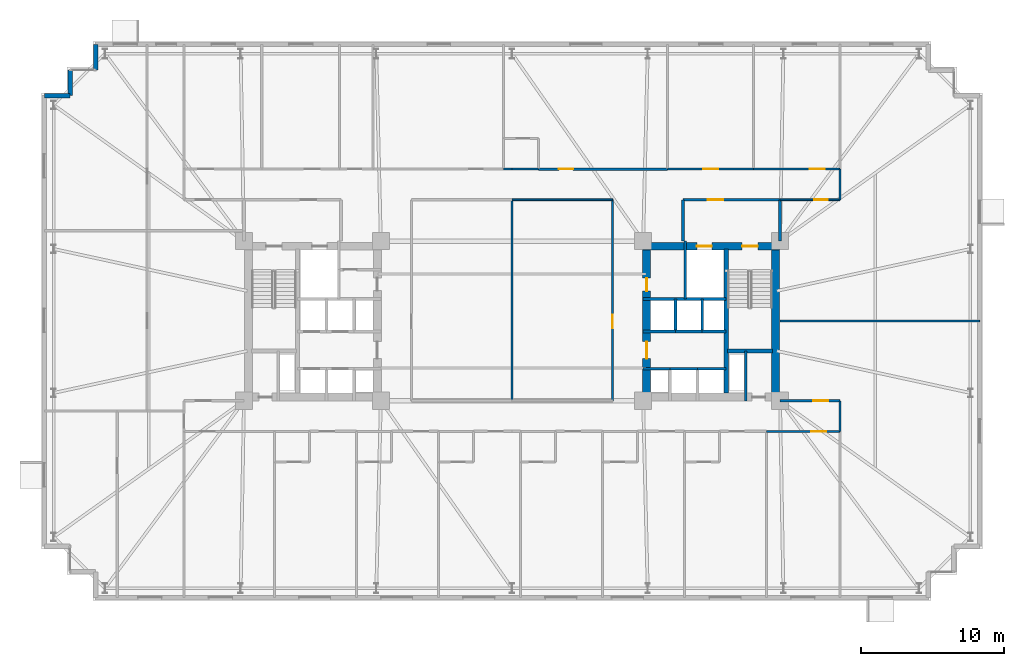
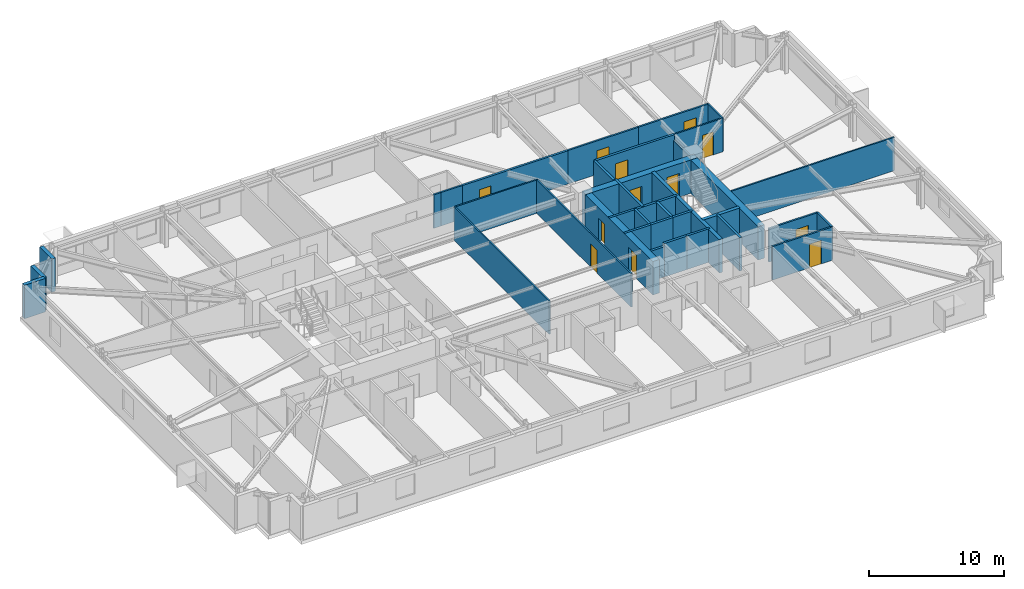
# One storey, part 17 of 20: 36 walls, 12 doors, 12 openings.
"""IFC4 building model written with IfcOpenShell, lengths in metres."""

from ifc_helpers import new_model, si_unit, direction, frame, frame_2d, origin, place, context, subcontext, project, spatial, rectangle, extrude, material, layer, layer_set, type_object, element, fill, save


model = new_model("IFC4")

# Units and contexts
model_context = context("Model", 3, precision=1e-05, world=origin(), true_north=direction((0.0, 1.0)))
body_context = subcontext(model_context, "Body", "Model", "MODEL_VIEW")
ifc_project = project(units=[si_unit("LENGTHUNIT", "METRE"), si_unit("AREAUNIT", "SQUARE_METRE"), si_unit("VOLUMEUNIT", "CUBIC_METRE"), si_unit("PLANEANGLEUNIT", "RADIAN"), si_unit("MASSUNIT", "GRAM", prefix="KILO")], contexts=[model_context])

# Site, building, storey
site_placement = place(None, origin())
site = spatial("IfcSite", under=ifc_project, at=site_placement, CompositionType="ELEMENT")
building_placement = place(site_placement, origin())
building = spatial("IfcBuilding", under=site, at=building_placement, Name="Qobustan Lattice House", CompositionType="ELEMENT")
storey_placement = place(building_placement, frame((0.0, 0.0, 63.85009765625)))
storey = spatial("IfcBuildingStorey", under=building, at=storey_placement, Name="L17", CompositionType="ELEMENT", Elevation=63.85009765625)

# Wall, openings, doors
ifc_material_1 = material(Name="Concrete C60/75", Category="concrete")
ifc_layer_1 = layer(ifc_material_1, 0.56005859375)
ifc_layer_set_1 = layer_set([ifc_layer_1], Name="Concrete C60/75")
wall_type_1 = type_object("IfcWallType", Name="WAL-CORE-600", PredefinedType="SHEAR", material=ifc_layer_set_1)
wall_1_placement = place(storey_placement, frame((9.199951171875, 5.239990234375, 0.0), z_axis=(0.0, 0.0, 1.0), x_axis=(1.0, 0.0, 0.0)))
wall_1 = element("IfcWall", 1, at=wall_1_placement, inside=storey, type_object=wall_type_1, Name="L17 split-core shear wall CE-N", PredefinedType="SHEAR", context=body_context, shape_type="SweptSolid", body=[
    extrude(rectangle(XDim=9.60009765625, YDim=0.56005859375, at=frame_2d((4.800048828125, 0.0))), origin(), (0.0, 0.0, 1.0), 3.034912109375),
])
opening_1_placement = place(wall_1_placement, frame((6.949951171875, 0.0, 0.0)))
opening_1 = element("IfcOpeningElement", 2, at=opening_1_placement, cuts=wall_1, Name="Opening SD-01", PredefinedType="OPENING", context=body_context, shape_type="SweptSolid", body=[
    extrude(rectangle(XDim=1.10009765625, YDim=2.14990234375, at=frame_2d((0.550048828125, 1.074951171875))), frame((0.0, 0.2900390625, 0.0), z_axis=(0.0, -1.0, 0.0), x_axis=(1.0, 0.0, 0.0)), (0.0, 0.0, 1.0), 0.580078125),
])
opening_2_placement = place(wall_1_placement, frame((3.77490234375, 0.0, 0.0)))
opening_2 = element("IfcOpeningElement", 3, at=opening_2_placement, cuts=wall_1, Name="Opening LD-01", PredefinedType="OPENING", context=body_context, shape_type="SweptSolid", body=[
    extrude(rectangle(XDim=1.050048828125, YDim=2.10009765625, at=frame_2d((0.52490234375, 1.050048828125))), frame((0.0, 0.2900390625, 0.0), z_axis=(0.0, -1.0, 0.0), x_axis=(1.0, 0.0, 0.0)), (0.0, 0.0, 1.0), 0.580078125),
])
ifc_material_2 = material(Name="Persian walnut timber and steel frame door", Category="steel")
door_type_1 = type_object("IfcDoorType", Name="DOR-LIFT-LD-1050x2100", OperationType="NOTDEFINED", PredefinedType="DOOR", material=ifc_material_2)
door_1_placement = place(opening_2_placement, origin())
door_1 = element("IfcDoor", 4, at=door_1_placement, inside=storey, type_object=door_type_1, Name="L17 firefighting lift FF-E landing door", OperationType="DOUBLE_DOOR_SLIDING", OverallHeight=2.10009765625, OverallWidth=1.050048828125, PredefinedType="DOOR", context=body_context, shape_type="SweptSolid", body=[
    extrude(rectangle(XDim=1.050048828125, YDim=2.10009765625, at=frame_2d((0.52490234375, 1.050048828125))), frame((0.0, 0.02490234375, 0.0), z_axis=(0.0, -1.0, 0.0), x_axis=(1.0, 0.0, 0.0)), (0.0, 0.0, 1.0), 0.050048828125),
])
fill(opening_2, door_1)
ifc_material_3 = material(Name="Persian walnut timber and steel frame door", Category="steel")
door_type_2 = type_object("IfcDoorType", Name="DOR-STAIR-FD-1100x2150", OperationType="NOTDEFINED", PredefinedType="DOOR", material=ifc_material_3)
door_2_placement = place(opening_1_placement, origin())
door_2 = element("IfcDoor", 5, at=door_2_placement, inside=storey, type_object=door_type_2, Name="L17 exit stair ST-E1 fire door", OperationType="SINGLE_SWING_LEFT", OverallHeight=2.14990234375, OverallWidth=1.10009765625, PredefinedType="DOOR", context=body_context, shape_type="SweptSolid", body=[
    extrude(rectangle(XDim=1.10009765625, YDim=2.14990234375, at=frame_2d((0.550048828125, 1.074951171875))), frame((0.0, 0.02490234375, 0.0), z_axis=(0.0, -1.0, 0.0), x_axis=(1.0, 0.0, 0.0)), (0.0, 0.0, 1.0), 0.050048828125),
])
fill(opening_1, door_2)

wall_2_placement = place(storey_placement, frame((9.449951171875, -5.050048828125, 0.0), z_axis=(0.0, 0.0, 1.0), x_axis=(0.0, 1.0, 0.0)))
wall_2 = element("IfcWall", 6, at=wall_2_placement, inside=storey, type_object=wall_type_1, Name="L17 split-core shear wall CE-W", PredefinedType="SHEAR", context=body_context, shape_type="SweptSolid", body=[
    extrude(rectangle(XDim=10.10009765625, YDim=0.56005859375, at=frame_2d((5.050048828125, 0.0))), origin(), (0.0, 0.0, 1.0), 3.034912109375),
])
opening_3_placement = place(wall_2_placement, frame((7.14990234375, 0.0, 0.0)))
opening_3 = element("IfcOpeningElement", 7, at=opening_3_placement, cuts=wall_2, Name="Opening RD-01", PredefinedType="OPENING", context=body_context, shape_type="SweptSolid", body=[
    extrude(rectangle(XDim=0.89990234375, YDim=2.10009765625, at=frame_2d((0.449951171875, 1.050048828125))), frame((0.0, 0.2900390625, 0.0), z_axis=(0.0, -1.0, 0.0), x_axis=(1.0, 0.0, 0.0)), (0.0, 0.0, 1.0), 0.580078125),
])
opening_4_placement = place(wall_2_placement, frame((2.39990234375, 0.0, 0.0)))
opening_4 = element("IfcOpeningElement", 8, at=opening_4_placement, cuts=wall_2, Name="Opening FD-01", PredefinedType="OPENING", context=body_context, shape_type="SweptSolid", body=[
    extrude(rectangle(XDim=1.199951171875, YDim=2.14990234375, at=frame_2d((0.60009765625, 1.074951171875))), frame((0.0, 0.2900390625, 0.0), z_axis=(0.0, -1.0, 0.0), x_axis=(1.0, 0.0, 0.0)), (0.0, 0.0, 1.0), 0.580078125),
])
ifc_material_4 = material(Name="Persian walnut timber and steel frame door", Category="steel")
door_type_3 = type_object("IfcDoorType", Name="DOR-LOBBY-FD-1200x2150", OperationType="NOTDEFINED", PredefinedType="DOOR", material=ifc_material_4)
door_3_placement = place(opening_4_placement, origin())
door_3 = element("IfcDoor", 9, at=door_3_placement, inside=storey, type_object=door_type_3, Name="L17 East passenger lift lobby fire door", OperationType="SINGLE_SWING_RIGHT", OverallHeight=2.14990234375, OverallWidth=1.199951171875, PredefinedType="DOOR", context=body_context, shape_type="SweptSolid", body=[
    extrude(rectangle(XDim=1.199951171875, YDim=2.14990234375, at=frame_2d((0.60009765625, 1.074951171875))), frame((0.0, 0.02490234375, 0.0), z_axis=(0.0, -1.0, 0.0), x_axis=(1.0, 0.0, 0.0)), (0.0, 0.0, 1.0), 0.050048828125),
])
fill(opening_4, door_3)
ifc_material_5 = material(Name="Persian walnut timber and steel frame door", Category="steel")
door_type_4 = type_object("IfcDoorType", Name="DOR-RISER-FD-900x2100", OperationType="NOTDEFINED", PredefinedType="DOOR", material=ifc_material_5)
door_4_placement = place(opening_3_placement, origin())
door_4 = element("IfcDoor", 10, at=door_4_placement, inside=storey, type_object=door_type_4, Name="L17 Housekeeping linen store fire door", OperationType="SINGLE_SWING_LEFT", OverallHeight=2.10009765625, OverallWidth=0.89990234375, PredefinedType="DOOR", context=body_context, shape_type="SweptSolid", body=[
    extrude(rectangle(XDim=0.89990234375, YDim=2.10009765625, at=frame_2d((0.449951171875, 1.050048828125))), frame((0.0, 0.02490234375, 0.0), z_axis=(0.0, -1.0, 0.0), x_axis=(1.0, 0.0, 0.0)), (0.0, 0.0, 1.0), 0.050048828125),
])
fill(opening_3, door_4)

# Walls
wall_3_placement = place(storey_placement, frame((18.489990234375, -5.050048828125, 0.0), z_axis=(0.0, 0.0, 1.0), x_axis=(0.0, 1.0, 0.0)))
element("IfcWall", 11, at=wall_3_placement, inside=storey, type_object=wall_type_1, Name="L17 split-core shear wall CE-E", PredefinedType="SHEAR", context=body_context, shape_type="SweptSolid", body=[
    extrude(rectangle(XDim=10.10009765625, YDim=0.56005859375, at=frame_2d((5.050048828125, 0.0))), origin(), (0.0, 0.0, 1.0), 3.034912109375),
])
ifc_material_6 = material(Name="Concrete C50/60", Category="concrete")
ifc_layer_2 = layer(ifc_material_6, 0.280029296875)
ifc_layer_set_2 = layer_set([ifc_layer_2], Name="Concrete C50/60")
wall_type_2 = type_object("IfcWallType", Name="WAL-CORE-SPINE-280", PredefinedType="SHEAR", material=ifc_layer_set_2)
wall_4_placement = place(storey_placement, frame((15.02001953125, -5.050048828125, 0.0), z_axis=(0.0, 0.0, 1.0), x_axis=(0.0, 1.0, 0.0)))
element("IfcWall", 12, at=wall_4_placement, inside=storey, type_object=wall_type_2, Name="L17 split-core shear wall CE-M", PredefinedType="SHEAR", context=body_context, shape_type="SweptSolid", body=[
    extrude(rectangle(XDim=10.10009765625, YDim=0.300048828125, at=frame_2d((5.050048828125, 0.0))), origin(), (0.0, 0.0, 1.0), 3.034912109375),
])
wall_5_placement = place(storey_placement, frame((15.10009765625, -2.110107421875, 0.0), z_axis=(0.0, 0.0, 1.0), x_axis=(1.0, 0.0, 0.0)))
element("IfcWall", 13, at=wall_5_placement, inside=storey, type_object=wall_type_2, Name="L17 split-core shear wall CE-ST", PredefinedType="SHEAR", context=body_context, shape_type="SweptSolid", body=[
    extrude(rectangle(XDim=3.179931640625, YDim=0.300048828125, at=frame_2d((1.58984375, 0.0))), origin(), (0.0, 0.0, 1.0), 3.034912109375),
])
ifc_material_7 = material(Name="Precast concrete C40/50", Category="concrete")
ifc_layer_3 = layer(ifc_material_7, 0.320068359375)
ifc_layer_set_3 = layer_set([ifc_layer_3], Name="Precast concrete C40/50")
wall_type_3 = type_object("IfcWallType", Name="WAL-EXT-STONE-320", PredefinedType="SOLIDWALL", material=ifc_layer_set_3)
for number, where, z_axis, x_axis, name in (
    (14, (-32.800048828125, 15.800048828125, 0.0), (0.0, 0.0, 1.0), (1.0, 0.0, 0.0), "L17 exterior limestone-clad wall 6"),
    (15, (-31.0, 15.800048828125, 0.0), (0.0, 0.0, 1.0), (0.0, 1.0, 0.0), "L17 exterior limestone-clad wall 7"),
):
    element("IfcWall", number, at=place(storey_placement, frame(where, z_axis=z_axis, x_axis=x_axis)), inside=storey, type_object=wall_type_3, Name=name, PredefinedType="SOLIDWALL", context=body_context, shape_type="SweptSolid", body=[
        extrude(rectangle(XDim=1.800048828125, YDim=0.320068359375, at=frame_2d((0.89990234375, 0.0))), origin(), (0.0, 0.0, 1.0), 3.034912109375),
    ])
wall_6_placement = place(storey_placement, frame((-29.199951171875, 17.60009765625, 0.0), z_axis=(0.0, 0.0, 1.0), x_axis=(0.0, 1.0, 0.0)))
element("IfcWall", 16, at=wall_6_placement, inside=storey, type_object=wall_type_3, Name="L17 exterior limestone-clad wall 9", PredefinedType="SOLIDWALL", context=body_context, shape_type="SweptSolid", body=[
    extrude(rectangle(XDim=1.7998046875, YDim=0.320068359375, at=frame_2d((0.89990234375, 0.0))), origin(), (0.0, 0.0, 1.0), 3.034912109375),
])

# Wall, opening, door
ifc_material_8 = material(Name="Gypsum fireboard acoustic partition", Category="gypsum")
ifc_layer_4 = layer(ifc_material_8, 0.179931640625)
ifc_layer_set_4 = layer_set([ifc_layer_4], Name="Gypsum fireboard acoustic partition")
wall_type_4 = type_object("IfcWallType", Name="WAL-FIRE-180", PredefinedType="PARTITIONING", material=ifc_layer_set_4)
wall_7_placement = place(storey_placement, frame((1.85009765625, 10.64990234375, 0.0), z_axis=(0.0, 0.0, 1.0), x_axis=(1.0, 0.0, 0.0)))
wall_7 = element("IfcWall", 17, at=wall_7_placement, inside=storey, type_object=wall_type_4, Name="L17 interior partition 48", PredefinedType="PARTITIONING", context=body_context, shape_type="SweptSolid", body=[
    extrude(rectangle(XDim=9.0498046875, YDim=0.179931640625, at=frame_2d((4.52490234375, 0.0))), origin(), (0.0, 0.0, 1.0), 3.034912109375),
])
opening_5_placement = place(wall_7_placement, frame((1.44140625, 0.0, 0.0)))
opening_5 = element("IfcOpeningElement", 18, at=opening_5_placement, cuts=wall_7, Name="Opening FD-02", PredefinedType="OPENING", context=body_context, shape_type="SweptSolid", body=[
    extrude(rectangle(XDim=1.0, YDim=2.14990234375, at=frame_2d((0.5, 1.074951171875))), frame((0.0, 0.099853515625, 0.0), z_axis=(0.0, -1.0, 0.0), x_axis=(1.0, 0.0, 0.0)), (0.0, 0.0, 1.0), 0.199951171875),
])
ifc_material_9 = material(Name="Persian walnut timber and steel frame door", Category="steel")
door_type_5 = type_object("IfcDoorType", Name="DOR-UNIT-FD-1000x2150", OperationType="NOTDEFINED", PredefinedType="DOOR", material=ifc_material_9)
door_5_placement = place(opening_5_placement, origin())
door_5 = element("IfcDoor", 19, at=door_5_placement, inside=storey, type_object=door_type_5, Name="L17 North-east floor corridor to Kitchenette and studio apartment L17-N3 door", OperationType="SINGLE_SWING_LEFT", OverallHeight=2.14990234375, OverallWidth=1.0, PredefinedType="DOOR", context=body_context, shape_type="SweptSolid", body=[
    extrude(rectangle(XDim=1.0, YDim=2.14990234375, at=frame_2d((0.5, 1.074951171875))), frame((0.0, 0.02490234375, 0.0), z_axis=(0.0, -1.0, 0.0), x_axis=(1.0, 0.0, 0.0)), (0.0, 0.0, 1.0), 0.050048828125),
])
fill(opening_5, door_5)

ifc_material_10 = material(Name="Lightweight acoustic stud partition", Category="gypsum")
ifc_layer_5 = layer(ifc_material_10, 0.125)
ifc_layer_set_5 = layer_set([ifc_layer_5], Name="Lightweight acoustic stud partition")
wall_type_5 = type_object("IfcWallType", Name="WAL-PART-125", PredefinedType="PARTITIONING", material=ifc_layer_set_5)
wall_8_placement = place(storey_placement, frame((23.0, 8.5, 0.0), z_axis=(0.0, 0.0, 1.0), x_axis=(-1.0, 0.0, 0.0)))
wall_8 = element("IfcWall", 20, at=wall_8_placement, inside=storey, type_object=wall_type_5, Name="L17 interior partition 46", PredefinedType="PARTITIONING", context=body_context, shape_type="SweptSolid", body=[
    extrude(rectangle(XDim=4.199951171875, YDim=0.125, at=frame_2d((2.10009765625, 0.0))), origin(), (0.0, 0.0, 1.0), 3.034912109375),
])
opening_6_placement = place(wall_8_placement, frame((0.84130859375, 0.0, 0.0)))
opening_6 = element("IfcOpeningElement", 21, at=opening_6_placement, cuts=wall_8, Name="Opening ID-01", PredefinedType="OPENING", context=body_context, shape_type="SweptSolid", body=[
    extrude(rectangle(XDim=0.949951171875, YDim=2.10009765625, at=frame_2d((0.47509765625, 1.050048828125))), frame((0.0, 0.072509765625, 0.0), z_axis=(0.0, -1.0, 0.0), x_axis=(1.0, 0.0, 0.0)), (0.0, 0.0, 1.0), 0.14501953125),
])
ifc_material_11 = material(Name="Persian walnut timber and steel frame door", Category="steel")
door_type_6 = type_object("IfcDoorType", Name="DOR-ROOM-950x2100", OperationType="NOTDEFINED", PredefinedType="DOOR", material=ifc_material_11)
door_6_placement = place(opening_6_placement, origin())
door_6 = element("IfcDoor", 22, at=door_6_placement, inside=storey, type_object=door_type_6, Name="L17 North-east floor corridor to Music and podcast studio door", OperationType="SINGLE_SWING_RIGHT", OverallHeight=2.10009765625, OverallWidth=0.949951171875, PredefinedType="DOOR", context=body_context, shape_type="SweptSolid", body=[
    extrude(rectangle(XDim=0.949951171875, YDim=2.10009765625, at=frame_2d((0.47509765625, 1.050048828125))), frame((0.0, 0.02490234375, 0.0), z_axis=(0.0, -1.0, 0.0), x_axis=(1.0, 0.0, 0.0)), (0.0, 0.0, 1.0), 0.050048828125),
])
fill(opening_6, door_6)

# Walls
wall_9_placement = place(storey_placement, frame((23.0, 10.64990234375, 0.0), z_axis=(0.0, 0.0, 1.0), x_axis=(0.0, -1.0, 0.0)))
element("IfcWall", 23, at=wall_9_placement, inside=storey, type_object=wall_type_5, Name="L17 interior partition 47", PredefinedType="PARTITIONING", context=body_context, shape_type="SweptSolid", body=[
    extrude(rectangle(XDim=2.14990234375, YDim=0.125, at=frame_2d((1.074951171875, 0.0))), origin(), (0.0, 0.0, 1.0), 3.034912109375),
])
wall_10_placement = place(storey_placement, frame((7.050048828125, 8.5, 0.0), z_axis=(0.0, 0.0, 1.0), x_axis=(-1.0, 0.0, 0.0)))
element("IfcWall", 24, at=wall_10_placement, inside=storey, type_object=wall_type_5, Name="L17 interior partition 52", PredefinedType="PARTITIONING", context=body_context, shape_type="SweptSolid", body=[
    extrude(rectangle(XDim=7.050048828125, YDim=0.125, at=frame_2d((3.52490234375, 0.0))), origin(), (0.0, 0.0, 1.0), 3.034912109375),
])

# Wall, opening, door
wall_11_placement = place(storey_placement, frame((7.050048828125, -5.60009765625, 0.0), z_axis=(0.0, 0.0, 1.0), x_axis=(0.0, 1.0, 0.0)))
wall_11 = element("IfcWall", 25, at=wall_11_placement, inside=storey, type_object=wall_type_5, Name="L17 interior partition 76", PredefinedType="PARTITIONING", context=body_context, shape_type="SweptSolid", body=[
    extrude(rectangle(XDim=14.10009765625, YDim=0.125, at=frame_2d((7.050048828125, 0.0))), origin(), (0.0, 0.0, 1.0), 3.034912109375),
])
opening_7_placement = place(wall_11_placement, frame((5.076171875, 0.0, 0.0)))
opening_7 = element("IfcOpeningElement", 26, at=opening_7_placement, cuts=wall_11, Name="Opening ID-01", PredefinedType="OPENING", context=body_context, shape_type="SweptSolid", body=[
    extrude(rectangle(XDim=0.949951171875, YDim=2.10009765625, at=frame_2d((0.47509765625, 1.050048828125))), frame((0.0, 0.072509765625, 0.0), z_axis=(0.0, -1.0, 0.0), x_axis=(1.0, 0.0, 0.0)), (0.0, 0.0, 1.0), 0.14501953125),
])
door_7_placement = place(opening_7_placement, origin())
door_7 = element("IfcDoor", 27, at=door_7_placement, inside=storey, type_object=door_type_6, Name="L17 East floor link corridor to Focus pod suite door", OperationType="SINGLE_SWING_RIGHT", OverallHeight=2.10009765625, OverallWidth=0.949951171875, PredefinedType="DOOR", context=body_context, shape_type="SweptSolid", body=[
    extrude(rectangle(XDim=0.949951171875, YDim=2.10009765625, at=frame_2d((0.47509765625, 1.050048828125))), frame((0.0, 0.02490234375, 0.0), z_axis=(0.0, -1.0, 0.0), x_axis=(1.0, 0.0, 0.0)), (0.0, 0.0, 1.0), 0.050048828125),
])
fill(opening_7, door_7)

# Walls
wall_12_placement = place(storey_placement, frame((18.800048828125, 0.0, 0.0), z_axis=(0.0, 0.0, 1.0), x_axis=(1.0, 0.0, 0.0)))
element("IfcWall", 28, at=wall_12_placement, inside=storey, type_object=wall_type_5, Name="L17 interior partition 87", PredefinedType="PARTITIONING", context=body_context, shape_type="SweptSolid", body=[
    extrude(rectangle(XDim=14.0, YDim=0.125, at=frame_2d((7.0, 0.0))), origin(), (0.0, 0.0, 1.0), 3.034912109375),
])
wall_13_placement = place(storey_placement, frame((0.0, 8.5, 0.0), z_axis=(0.0, 0.0, 1.0), x_axis=(0.0, -1.0, 0.0)))
element("IfcWall", 29, at=wall_13_placement, inside=storey, type_object=wall_type_5, Name="L17 interior partition 124", PredefinedType="PARTITIONING", context=body_context, shape_type="SweptSolid", body=[
    extrude(rectangle(XDim=14.10009765625, YDim=0.125, at=frame_2d((7.050048828125, 0.0))), origin(), (0.0, 0.0, 1.0), 3.034912109375),
])

# Wall, opening, door
ifc_material_12 = material(Name="Acoustic twin-stud gypsum partition", Category="gypsum")
ifc_layer_6 = layer(ifc_material_12, 0.14990234375)
ifc_layer_set_6 = layer_set([ifc_layer_6], Name="Acoustic twin-stud gypsum partition")
wall_type_6 = type_object("IfcWallType", Name="WAL-PART-150", PredefinedType="PARTITIONING", material=ifc_layer_set_6)
wall_14_placement = place(storey_placement, frame((10.89990234375, 10.64990234375, 0.0), z_axis=(0.0, 0.0, 1.0), x_axis=(1.0, 0.0, 0.0)))
wall_14 = element("IfcWall", 30, at=wall_14_placement, inside=storey, type_object=wall_type_6, Name="L17 interior partition 50", PredefinedType="PARTITIONING", context=body_context, shape_type="SweptSolid", body=[
    extrude(rectangle(XDim=6.050048828125, YDim=0.14990234375, at=frame_2d((3.02490234375, 0.0))), origin(), (0.0, 0.0, 1.0), 3.034912109375),
])
opening_8_placement = place(wall_14_placement, frame((2.5, 0.0, 0.0)))
opening_8 = element("IfcOpeningElement", 31, at=opening_8_placement, cuts=wall_14, Name="Opening ID-02", PredefinedType="OPENING", context=body_context, shape_type="SweptSolid", body=[
    extrude(rectangle(XDim=1.050048828125, YDim=2.14990234375, at=frame_2d((0.52490234375, 1.074951171875))), frame((0.0, 0.0849609375, 0.0), z_axis=(0.0, -1.0, 0.0), x_axis=(1.0, 0.0, 0.0)), (0.0, 0.0, 1.0), 0.169921875),
])
ifc_material_13 = material(Name="Persian walnut timber and steel frame door", Category="steel")
door_type_7 = type_object("IfcDoorType", Name="DOR-STUDY-1050x2150", OperationType="NOTDEFINED", PredefinedType="DOOR", material=ifc_material_13)
door_8_placement = place(opening_8_placement, origin())
door_8 = element("IfcDoor", 32, at=door_8_placement, inside=storey, type_object=door_type_7, Name="L17 North-east floor corridor to Focus study room N4A door", OperationType="SINGLE_SWING_RIGHT", OverallHeight=2.14990234375, OverallWidth=1.050048828125, PredefinedType="DOOR", context=body_context, shape_type="SweptSolid", body=[
    extrude(rectangle(XDim=1.050048828125, YDim=2.14990234375, at=frame_2d((0.52490234375, 1.074951171875))), frame((0.0, 0.02490234375, 0.0), z_axis=(0.0, -1.0, 0.0), x_axis=(1.0, 0.0, 0.0)), (0.0, 0.0, 1.0), 0.050048828125),
])
fill(opening_8, door_8)

wall_15_placement = place(storey_placement, frame((16.949951171875, 10.64990234375, 0.0), z_axis=(0.0, 0.0, 1.0), x_axis=(1.0, 0.0, 0.0)))
wall_15 = element("IfcWall", 33, at=wall_15_placement, inside=storey, type_object=wall_type_6, Name="L17 interior partition 51", PredefinedType="PARTITIONING", context=body_context, shape_type="SweptSolid", body=[
    extrude(rectangle(XDim=6.050048828125, YDim=0.14990234375, at=frame_2d((3.02490234375, 0.0))), origin(), (0.0, 0.0, 1.0), 3.034912109375),
])
opening_9_placement = place(wall_15_placement, frame((3.93994140625, 0.0, 0.0)))
opening_9 = element("IfcOpeningElement", 34, at=opening_9_placement, cuts=wall_15, Name="Opening ID-02", PredefinedType="OPENING", context=body_context, shape_type="SweptSolid", body=[
    extrude(rectangle(XDim=1.050048828125, YDim=2.14990234375, at=frame_2d((0.52490234375, 1.074951171875))), frame((0.0, 0.0849609375, 0.0), z_axis=(0.0, -1.0, 0.0), x_axis=(1.0, 0.0, 0.0)), (0.0, 0.0, 1.0), 0.169921875),
])
door_9_placement = place(opening_9_placement, origin())
door_9 = element("IfcDoor", 35, at=door_9_placement, inside=storey, type_object=door_type_7, Name="L17 North-east floor corridor to Focus study room N4B door", OperationType="SINGLE_SWING_LEFT", OverallHeight=2.14990234375, OverallWidth=1.050048828125, PredefinedType="DOOR", context=body_context, shape_type="SweptSolid", body=[
    extrude(rectangle(XDim=1.050048828125, YDim=2.14990234375, at=frame_2d((0.52490234375, 1.074951171875))), frame((0.0, 0.02490234375, 0.0), z_axis=(0.0, -1.0, 0.0), x_axis=(1.0, 0.0, 0.0)), (0.0, 0.0, 1.0), 0.050048828125),
])
fill(opening_9, door_9)

wall_16_placement = place(storey_placement, frame((18.800048828125, -5.60009765625, 0.0), z_axis=(0.0, 0.0, 1.0), x_axis=(1.0, 0.0, 0.0)))
wall_16 = element("IfcWall", 36, at=wall_16_placement, inside=storey, type_object=wall_type_6, Name="L17 interior partition 64", PredefinedType="PARTITIONING", context=body_context, shape_type="SweptSolid", body=[
    extrude(rectangle(XDim=4.199951171875, YDim=0.14990234375, at=frame_2d((2.10009765625, 0.0))), origin(), (0.0, 0.0, 1.0), 3.034912109375),
])
opening_10_placement = place(wall_16_placement, frame((2.3212890625, 0.0, 0.0)))
opening_10 = element("IfcOpeningElement", 37, at=opening_10_placement, cuts=wall_16, Name="Opening ID-02", PredefinedType="OPENING", context=body_context, shape_type="SweptSolid", body=[
    extrude(rectangle(XDim=1.050048828125, YDim=2.14990234375, at=frame_2d((0.52490234375, 1.074951171875))), frame((0.0, 0.0849609375, 0.0), z_axis=(0.0, -1.0, 0.0), x_axis=(1.0, 0.0, 0.0)), (0.0, 0.0, 1.0), 0.169921875),
])
door_10_placement = place(opening_10_placement, origin())
door_10 = element("IfcDoor", 38, at=door_10_placement, inside=storey, type_object=door_type_7, Name="L17 South-east floor corridor to Academic seminar room door", OperationType="SINGLE_SWING_RIGHT", OverallHeight=2.14990234375, OverallWidth=1.050048828125, PredefinedType="DOOR", context=body_context, shape_type="SweptSolid", body=[
    extrude(rectangle(XDim=1.050048828125, YDim=2.14990234375, at=frame_2d((0.52490234375, 1.074951171875))), frame((0.0, 0.02490234375, 0.0), z_axis=(0.0, -1.0, 0.0), x_axis=(1.0, 0.0, 0.0)), (0.0, 0.0, 1.0), 0.050048828125),
])
fill(opening_10, door_10)

# Wall
wall_17_placement = place(storey_placement, frame((23.0, -5.60009765625, 0.0), z_axis=(0.0, 0.0, 1.0), x_axis=(0.0, -1.0, 0.0)))
element("IfcWall", 39, at=wall_17_placement, inside=storey, type_object=wall_type_6, Name="L17 interior partition 65", PredefinedType="PARTITIONING", context=body_context, shape_type="SweptSolid", body=[
    extrude(rectangle(XDim=2.14990234375, YDim=0.14990234375, at=frame_2d((1.074951171875, 0.0))), origin(), (0.0, 0.0, 1.0), 3.034912109375),
])

# Wall, opening, door
wall_18_placement = place(storey_placement, frame((23.0, -7.75, 0.0), z_axis=(0.0, 0.0, 1.0), x_axis=(-1.0, 0.0, 0.0)))
wall_18 = element("IfcWall", 40, at=wall_18_placement, inside=storey, type_object=wall_type_6, Name="L17 interior partition 73", PredefinedType="PARTITIONING", context=body_context, shape_type="SweptSolid", body=[
    extrude(rectangle(XDim=5.14990234375, YDim=0.14990234375, at=frame_2d((2.574951171875, 0.0))), origin(), (0.0, 0.0, 1.0), 3.034912109375),
])
opening_11_placement = place(wall_18_placement, frame((0.947509765625, 0.0, 0.0)))
opening_11 = element("IfcOpeningElement", 41, at=opening_11_placement, cuts=wall_18, Name="Opening ID-02", PredefinedType="OPENING", context=body_context, shape_type="SweptSolid", body=[
    extrude(rectangle(XDim=1.050048828125, YDim=2.14990234375, at=frame_2d((0.52490234375, 1.074951171875))), frame((0.0, 0.0849609375, 0.0), z_axis=(0.0, -1.0, 0.0), x_axis=(1.0, 0.0, 0.0)), (0.0, 0.0, 1.0), 0.169921875),
])
door_11_placement = place(opening_11_placement, origin())
door_11 = element("IfcDoor", 42, at=door_11_placement, inside=storey, type_object=door_type_7, Name="L17 South-east floor corridor to Group study room door", OperationType="SINGLE_SWING_RIGHT", OverallHeight=2.14990234375, OverallWidth=1.050048828125, PredefinedType="DOOR", context=body_context, shape_type="SweptSolid", body=[
    extrude(rectangle(XDim=1.050048828125, YDim=2.14990234375, at=frame_2d((0.52490234375, 1.074951171875))), frame((0.0, 0.02490234375, 0.0), z_axis=(0.0, -1.0, 0.0), x_axis=(1.0, 0.0, 0.0)), (0.0, 0.0, 1.0), 0.050048828125),
])
fill(opening_11, door_11)

ifc_material_14 = material(Name="Two-hour gypsum fireboard acoustic partition", Category="gypsum")
ifc_layer_7 = layer(ifc_material_14, 0.199951171875)
ifc_layer_set_7 = layer_set([ifc_layer_7], Name="Two-hour gypsum fireboard acoustic partition")
wall_type_7 = type_object("IfcWallType", Name="WAL-PROT-200", PredefinedType="PARTITIONING", material=ifc_layer_set_7)
wall_19_placement = place(storey_placement, frame((18.800048828125, 8.5, 0.0), z_axis=(0.0, 0.0, 1.0), x_axis=(-1.0, 0.0, 0.0)))
wall_19 = element("IfcWall", 43, at=wall_19_placement, inside=storey, type_object=wall_type_7, Name="L17 interior partition 23", PredefinedType="PARTITIONING", context=body_context, shape_type="SweptSolid", body=[
    extrude(rectangle(XDim=6.800048828125, YDim=0.199951171875, at=frame_2d((3.39990234375, 0.0))), origin(), (0.0, 0.0, 1.0), 3.034912109375),
])
opening_12_placement = place(wall_19_placement, frame((3.985107421875, 0.0, 0.0)))
opening_12 = element("IfcOpeningElement", 44, at=opening_12_placement, cuts=wall_19, Name="Opening SD-01", PredefinedType="OPENING", context=body_context, shape_type="SweptSolid", body=[
    extrude(rectangle(XDim=1.10009765625, YDim=2.14990234375, at=frame_2d((0.550048828125, 1.074951171875))), frame((0.0, 0.10986328125, 0.0), z_axis=(0.0, -1.0, 0.0), x_axis=(1.0, 0.0, 0.0)), (0.0, 0.0, 1.0), 0.219970703125),
])
door_12_placement = place(opening_12_placement, origin())
door_12 = element("IfcDoor", 45, at=door_12_placement, inside=storey, type_object=door_type_2, Name="L17 East firefighting lift lobby to North-east floor corridor door", OperationType="SINGLE_SWING_RIGHT", OverallHeight=2.14990234375, OverallWidth=1.10009765625, PredefinedType="DOOR", context=body_context, shape_type="SweptSolid", body=[
    extrude(rectangle(XDim=1.10009765625, YDim=2.14990234375, at=frame_2d((0.550048828125, 1.074951171875))), frame((0.0, 0.02490234375, 0.0), z_axis=(0.0, -1.0, 0.0), x_axis=(1.0, 0.0, 0.0)), (0.0, 0.0, 1.0), 0.050048828125),
])
fill(opening_12, door_12)

# Walls
wall_20_placement = place(storey_placement, frame((12.0, 8.5, 0.0), z_axis=(0.0, 0.0, 1.0), x_axis=(0.0, -1.0, 0.0)))
element("IfcWall", 46, at=wall_20_placement, inside=storey, type_object=wall_type_7, Name="L17 interior partition 24", PredefinedType="PARTITIONING", context=body_context, shape_type="SweptSolid", body=[
    extrude(rectangle(XDim=2.89990234375, YDim=0.199951171875, at=frame_2d((1.449951171875, 0.0))), origin(), (0.0, 0.0, 1.0), 3.034912109375),
])
wall_21_placement = place(storey_placement, frame((18.800048828125, 5.60009765625, 0.0), z_axis=(0.0, 0.0, 1.0), x_axis=(0.0, 1.0, 0.0)))
element("IfcWall", 47, at=wall_21_placement, inside=storey, type_object=wall_type_7, Name="L17 interior partition 25", PredefinedType="PARTITIONING", context=body_context, shape_type="SweptSolid", body=[
    extrude(rectangle(XDim=2.89990234375, YDim=0.199951171875, at=frame_2d((1.449951171875, 0.0))), origin(), (0.0, 0.0, 1.0), 2.52001953125),
])
ifc_material_15 = material(Name="Concrete C40/50", Category="concrete")
ifc_layer_8 = layer(ifc_material_15, 0.199951171875)
ifc_layer_set_8 = layer_set([ifc_layer_8], Name="Concrete C40/50")
wall_type_8 = type_object("IfcWallType", Name="WAL-SHAFT-200", PredefinedType="PARTITIONING", material=ifc_layer_set_8)
wall_22_placement = place(storey_placement, frame((16.39990234375, -2.110107421875, 0.0), z_axis=(0.0, 0.0, 1.0), x_axis=(0.0, -1.0, 0.0)))
element("IfcWall", 48, at=wall_22_placement, inside=storey, type_object=wall_type_8, Name="L17 interior partition 21", PredefinedType="PARTITIONING", context=body_context, shape_type="SweptSolid", body=[
    extrude(rectangle(XDim=3.489990234375, YDim=0.199951171875, at=frame_2d((1.7451171875, 0.0))), origin(), (0.0, 0.0, 1.0), 3.034912109375),
])
wall_23_placement = place(storey_placement, frame((12.14990234375, 5.60009765625, 0.0), z_axis=(0.0, 0.0, 1.0), x_axis=(0.0, -1.0, 0.0)))
element("IfcWall", 49, at=wall_23_placement, inside=storey, type_object=wall_type_8, Name="L17 interior partition 22", PredefinedType="PARTITIONING", context=body_context, shape_type="SweptSolid", body=[
    extrude(rectangle(XDim=4.050048828125, YDim=0.199951171875, at=frame_2d((2.02490234375, 0.0))), origin(), (0.0, 0.0, 1.0), 3.034912109375),
])
wall_24_placement = place(storey_placement, frame((9.199951171875, -3.35009765625, 0.0), z_axis=(0.0, 0.0, 1.0), x_axis=(1.0, 0.0, 0.0)))
element("IfcWall", 50, at=wall_24_placement, inside=storey, type_object=wall_type_8, Name="L17 interior partition 27", PredefinedType="PARTITIONING", context=body_context, shape_type="SweptSolid", body=[
    extrude(rectangle(XDim=1.880126953125, YDim=0.199951171875, at=frame_2d((0.93994140625, 0.0))), origin(), (0.0, 0.0, 1.0), 2.75),
])
wall_25_placement = place(storey_placement, frame((11.080078125, -3.35009765625, 0.0), z_axis=(0.0, 0.0, 1.0), x_axis=(1.0, 0.0, 0.0)))
element("IfcWall", 51, at=wall_25_placement, inside=storey, type_object=wall_type_8, Name="L17 interior partition 28", PredefinedType="PARTITIONING", context=body_context, shape_type="SweptSolid", body=[
    extrude(rectangle(XDim=1.93994140625, YDim=0.199951171875, at=frame_2d((0.969970703125, 0.0))), origin(), (0.0, 0.0, 1.0), 3.034912109375),
])
wall_26_placement = place(storey_placement, frame((13.02001953125, -3.35009765625, 0.0), z_axis=(0.0, 0.0, 1.0), x_axis=(1.0, 0.0, 0.0)))
element("IfcWall", 52, at=wall_26_placement, inside=storey, type_object=wall_type_8, Name="L17 interior partition 29", PredefinedType="PARTITIONING", context=body_context, shape_type="SweptSolid", body=[
    extrude(rectangle(XDim=2.0, YDim=0.199951171875, at=frame_2d((1.0, 0.0))), origin(), (0.0, 0.0, 1.0), 3.034912109375),
])
wall_27_placement = place(storey_placement, frame((11.4599609375, -0.75, 0.0), z_axis=(0.0, 0.0, 1.0), x_axis=(-1.0, 0.0, 0.0)))
element("IfcWall", 53, at=wall_27_placement, inside=storey, type_object=wall_type_8, Name="L17 interior partition 30", PredefinedType="PARTITIONING", context=body_context, shape_type="SweptSolid", body=[
    extrude(rectangle(XDim=2.260009765625, YDim=0.199951171875, at=frame_2d((1.1298828125, 0.0))), origin(), (0.0, 0.0, 1.0), 3.034912109375),
])
wall_28_placement = place(storey_placement, frame((13.340087890625, -0.75, 0.0), z_axis=(0.0, 0.0, 1.0), x_axis=(-1.0, 0.0, 0.0)))
element("IfcWall", 54, at=wall_28_placement, inside=storey, type_object=wall_type_8, Name="L17 interior partition 31", PredefinedType="PARTITIONING", context=body_context, shape_type="SweptSolid", body=[
    extrude(rectangle(XDim=1.880126953125, YDim=0.199951171875, at=frame_2d((0.93994140625, 0.0))), origin(), (0.0, 0.0, 1.0), 3.034912109375),
])
wall_29_placement = place(storey_placement, frame((15.02001953125, -0.75, 0.0), z_axis=(0.0, 0.0, 1.0), x_axis=(-1.0, 0.0, 0.0)))
element("IfcWall", 55, at=wall_29_placement, inside=storey, type_object=wall_type_8, Name="L17 interior partition 32", PredefinedType="PARTITIONING", context=body_context, shape_type="SweptSolid", body=[
    extrude(rectangle(XDim=1.679931640625, YDim=0.199951171875, at=frame_2d((0.83984375, 0.0))), origin(), (0.0, 0.0, 1.0), 3.034912109375),
])
for number, where, z_axis, x_axis, name in (
    (56, (11.4599609375, -0.75, 0.0), (0.0, 0.0, 1.0), (0.0, 1.0, 0.0), "L17 interior partition 36"),
    (57, (13.340087890625, -0.75, 0.0), (0.0, 0.0, 1.0), (0.0, 1.0, 0.0), "L17 interior partition 37"),
):
    element("IfcWall", number, at=place(storey_placement, frame(where, z_axis=z_axis, x_axis=x_axis)), inside=storey, type_object=wall_type_8, Name=name, PredefinedType="PARTITIONING", context=body_context, shape_type="SweptSolid", body=[
        extrude(rectangle(XDim=2.300048828125, YDim=0.199951171875, at=frame_2d((1.14990234375, 0.0))), origin(), (0.0, 0.0, 1.0), 3.034912109375),
    ])
wall_30_placement = place(storey_placement, frame((9.199951171875, 1.550048828125, 0.0), z_axis=(0.0, 0.0, 1.0), x_axis=(1.0, 0.0, 0.0)))
element("IfcWall", 58, at=wall_30_placement, inside=storey, type_object=wall_type_8, Name="L17 interior partition 126", PredefinedType="PARTITIONING", context=body_context, shape_type="SweptSolid", body=[
    extrude(rectangle(XDim=5.820068359375, YDim=0.199951171875, at=frame_2d((2.91015625, 0.0))), origin(), (0.0, 0.0, 1.0), 3.034912109375),
])
ifc_material_16 = material(Name="Moisture-resistant acoustic plumbing wall", Category="gypsum")
ifc_layer_9 = layer(ifc_material_16, 0.14990234375)
ifc_layer_set_9 = layer_set([ifc_layer_9], Name="Moisture-resistant acoustic plumbing wall")
wall_type_9 = type_object("IfcWallType", Name="WAL-WET-150", PredefinedType="PLUMBINGWALL", material=ifc_layer_set_9)
wall_31_placement = place(storey_placement, frame((-0.60009765625, 10.64990234375, 0.0), z_axis=(0.0, 0.0, 1.0), x_axis=(1.0, 0.0, 0.0)))
element("IfcWall", 59, at=wall_31_placement, inside=storey, type_object=wall_type_9, Name="L17 interior partition 44", PredefinedType="PLUMBINGWALL", context=body_context, shape_type="SweptSolid", body=[
    extrude(rectangle(XDim=0.60009765625, YDim=0.14990234375, at=frame_2d((0.300048828125, 0.0))), origin(), (0.0, 0.0, 1.0), 3.034912109375),
])
wall_32_placement = place(storey_placement, frame((0.0, 10.64990234375, 0.0), z_axis=(0.0, 0.0, 1.0), x_axis=(1.0, 0.0, 0.0)))
element("IfcWall", 60, at=wall_32_placement, inside=storey, type_object=wall_type_9, Name="L17 interior partition 49", PredefinedType="PLUMBINGWALL", context=body_context, shape_type="SweptSolid", body=[
    extrude(rectangle(XDim=1.85009765625, YDim=0.14990234375, at=frame_2d((0.925048828125, 0.0))), origin(), (0.0, 0.0, 1.0), 3.034912109375),
])

save(model, "model.ifc")
